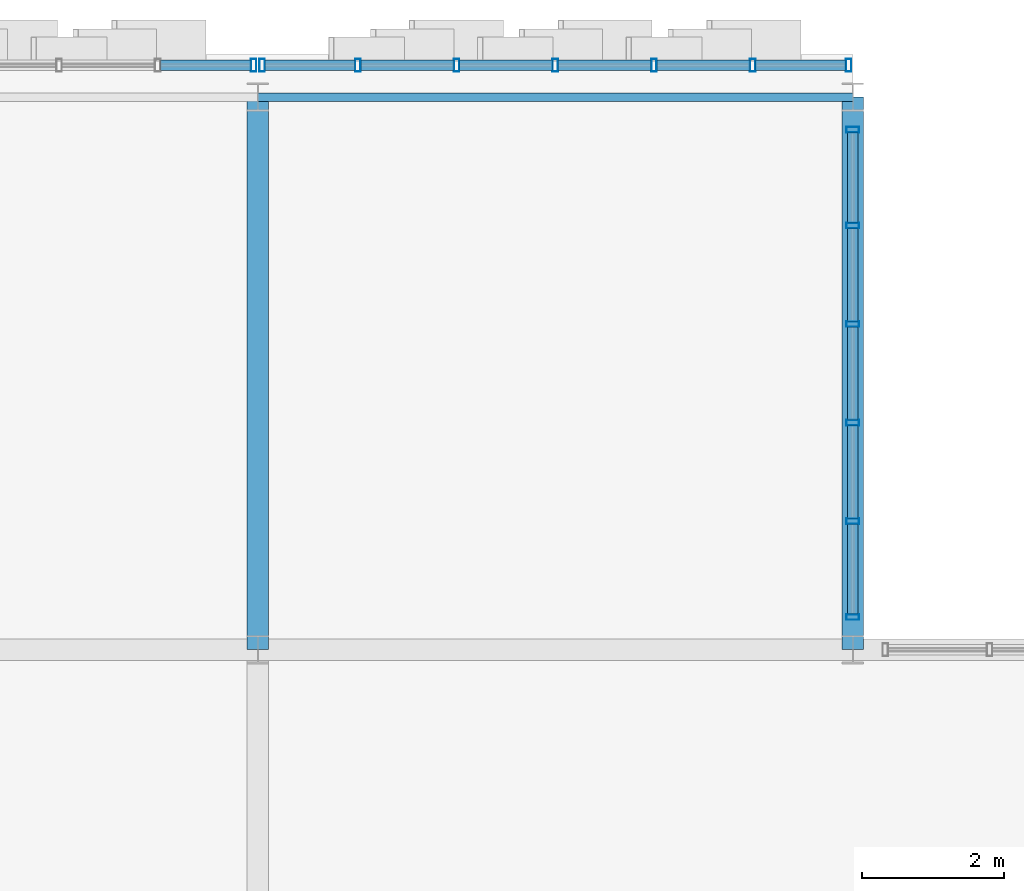
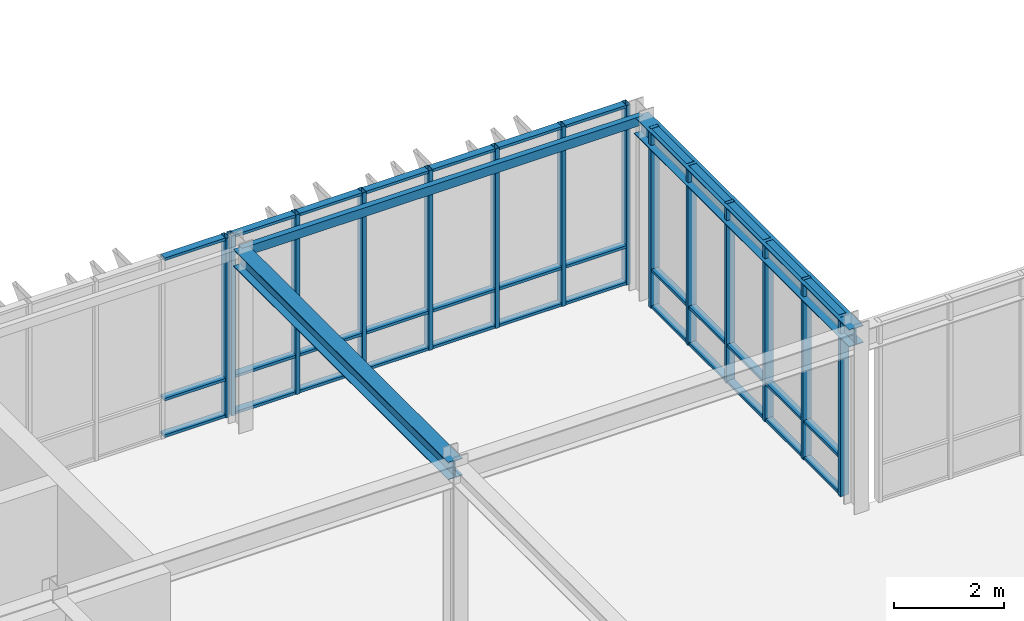
# One storey, part 45 of 123: 50 members, 3 beams, 3 elements without a shape of their own.
"""IFC4 building model written with IfcOpenShell, lengths in metres."""

from ifc_helpers import new_model, si_unit, direction, frame, origin, origin_2d, place, context, subcontext, project, spatial, hollow_rectangle, i_section, extrude, material, layer, layer_set, material_profile, profile_set, type_object, element, aggregate, save


model = new_model("IFC4")

# Units and contexts
model_context = context("Model", 3, precision=1e-05, world=origin(), true_north=direction((0.0, 1.0)))
body_context = subcontext(model_context, "Body", "Model", "MODEL_VIEW")
ifc_project = project(units=[si_unit("LENGTHUNIT", "METRE"), si_unit("AREAUNIT", "SQUARE_METRE"), si_unit("VOLUMEUNIT", "CUBIC_METRE"), si_unit("PLANEANGLEUNIT", "RADIAN"), si_unit("MASSUNIT", "GRAM", prefix="KILO")], contexts=[model_context])

# Site, building, storey
site_placement = place(None, origin())
site = spatial("IfcSite", under=ifc_project, at=site_placement, CompositionType="ELEMENT")
building_placement = place(site_placement, origin())
building = spatial("IfcBuilding", under=site, at=building_placement, Name="Zayran Congress Hotel", CompositionType="ELEMENT")
storey_placement = place(building_placement, frame((0.0, 0.0, 15.0)))
storey = spatial("IfcBuildingStorey", under=building, at=storey_placement, Name="L03", CompositionType="ELEMENT", Elevation=15.0)

# Beams
ifc_material_1 = material(Name="Steel S355", Category="steel")
ifc_material_profile_1 = material_profile(ifc_material_1, i_section(OverallWidth=0.300048828125, OverallDepth=0.389892578125, WebThickness=0.010986328125, FlangeThickness=0.01904296875, at=origin_2d()), Name="HEA 400")
ifc_profile_set_1 = profile_set([ifc_material_profile_1], Name="Steel S355")
beam_type_1 = type_object("IfcBeamType", Name="TP-BM-06", PredefinedType="BEAM", material=ifc_profile_set_1)
for number, where, z_axis, x_axis, name in (
    (1, (25.199951171875, 109.60009765625, 3.784912109375), (0.0, 1.0, 0.0), (-1.0, 0.0, 0.0), "BM-V1-L03-0864"),
    (2, (33.60009765625, 109.60009765625, 3.784912109375), (0.0, 1.0, 0.0), (-1.0, 0.0, 0.0), "BM-V1-L03-0867"),
):
    element("IfcBeam", number, at=place(storey_placement, frame(where, z_axis=z_axis, x_axis=x_axis)), inside=storey, type_object=beam_type_1, Name=name, PredefinedType="BEAM", context=body_context, shape_type="SweptSolid", body=[
        extrude(i_section(OverallWidth=0.300048828125, OverallDepth=0.389892578125, WebThickness=0.010986328125, FlangeThickness=0.01904296875, at=origin_2d()), origin(), (0.0, 0.0, 1.0), 7.7998046875),
    ])
ifc_material_profile_2 = material_profile(ifc_material_1, hollow_rectangle(XDim=0.1201171875, YDim=0.199951171875, WallThickness=0.008056640625, at=origin_2d()), Name="RHS 200x120x8")
ifc_profile_set_2 = profile_set([ifc_material_profile_2], Name="Steel S355")
beam_type_2 = type_object("IfcBeamType", Name="TP-SP-02", PredefinedType="SPANDREL", material=ifc_profile_set_2)
beam_placement = place(storey_placement, frame((25.199951171875, 117.39990234375, 3.8798828125), z_axis=(1.0, 0.0, 0.0), x_axis=(0.0, 1.0, 0.0)))
element("IfcBeam", 3, at=beam_placement, inside=storey, type_object=beam_type_2, Name="BM-V1-L03-0841", PredefinedType="SPANDREL", context=body_context, shape_type="SweptSolid", body=[
    extrude(hollow_rectangle(XDim=0.1201171875, YDim=0.199951171875, WallThickness=0.008056640625, at=origin_2d()), origin(), (0.0, 0.0, 1.0), 8.400146484375),
])

# Curtain wall, member
ifc_material_2 = material(Name="Anodised aluminium and low-E insulated glass", Category="aluminium")
ifc_layer_1 = layer(ifc_material_2, 0.179931640625)
ifc_layer_set_1 = layer_set([ifc_layer_1], Name="Anodised aluminium and low-E insulated glass")
curtain_wall_type_1 = type_object("IfcCurtainWallType", Name="CW-V1N-L03-CW-22-8360-3980", PredefinedType="USERDEFINED", material=ifc_layer_set_1)
curtain_wall_1_placement = place(storey_placement, origin())
curtain_wall_1 = element("IfcCurtainWall", 4, at=curtain_wall_1_placement, inside=storey, type_object=curtain_wall_type_1, Name="CW-V1N-L03-1", ObjectType="CURTAIN WALL", PredefinedType="USERDEFINED")
ifc_material_3 = material(Name="Anodised aluminium framing", Category="aluminium")
ifc_material_profile_3 = material_profile(ifc_material_3, hollow_rectangle(XDim=0.080078125, YDim=0.179931640625, WallThickness=0.0048828125, at=origin_2d()), Name="RHS 180x80x5")
ifc_profile_set_3 = profile_set([ifc_material_profile_3], Name="Anodised aluminium framing")
member_type_1 = type_object("IfcMemberType", Name="TP-CWM-01", PredefinedType="MULLION", material=ifc_profile_set_3)
member_1_placement = place(storey_placement, frame((25.139892578125, 117.85009765625, 0.0), z_axis=(0.0, 0.0, 1.0), x_axis=(1.0, 0.0, 0.0)))
member_1 = element("IfcMember", 5, at=member_1_placement, type_object=member_type_1, Name="CW-V1N-L03-1-M00", PredefinedType="MULLION", context=body_context, shape_type="SweptSolid", body=[
    extrude(hollow_rectangle(XDim=0.080078125, YDim=0.179931640625, WallThickness=0.0048828125, at=origin_2d()), origin(), (0.0, 0.0, 1.0), 3.97998046875),
])

# Curtain wall, members
ifc_layer_2 = layer(ifc_material_2, 0.179931640625)
ifc_layer_set_2 = layer_set([ifc_layer_2], Name="Anodised aluminium and low-E insulated glass")
curtain_wall_type_2 = type_object("IfcCurtainWallType", Name="CW-V1N-L03-CW-23-8360-3980", PredefinedType="USERDEFINED", material=ifc_layer_set_2)
curtain_wall_2_placement = place(storey_placement, origin())
curtain_wall_2 = element("IfcCurtainWall", 6, at=curtain_wall_2_placement, inside=storey, type_object=curtain_wall_type_2, Name="CW-V1N-L03-2", ObjectType="CURTAIN WALL", PredefinedType="USERDEFINED")
member_2_placement = place(storey_placement, frame((33.5400390625, 117.85009765625, 0.0), z_axis=(0.0, 0.0, 1.0), x_axis=(1.0, 0.0, 0.0)))
member_2 = element("IfcMember", 7, at=member_2_placement, type_object=member_type_1, Name="CW-V1N-L03-2-M00", PredefinedType="MULLION", context=body_context, shape_type="SweptSolid", body=[
    extrude(hollow_rectangle(XDim=0.080078125, YDim=0.179931640625, WallThickness=0.0048828125, at=origin_2d()), origin(), (0.0, 0.0, 1.0), 3.97998046875),
])
member_3_placement = place(storey_placement, frame((32.186767578125, 117.85009765625, 0.0), z_axis=(0.0, 0.0, 1.0), x_axis=(1.0, 0.0, 0.0)))
member_3 = element("IfcMember", 8, at=member_3_placement, type_object=member_type_1, Name="CW-V1N-L03-2-M01", PredefinedType="MULLION", context=body_context, shape_type="SweptSolid", body=[
    extrude(hollow_rectangle(XDim=0.080078125, YDim=0.179931640625, WallThickness=0.0048828125, at=origin_2d()), origin(), (0.0, 0.0, 1.0), 3.97998046875),
])
member_4_placement = place(storey_placement, frame((30.793212890625, 117.85009765625, 0.0), z_axis=(0.0, 0.0, 1.0), x_axis=(1.0, 0.0, 0.0)))
member_4 = element("IfcMember", 9, at=member_4_placement, type_object=member_type_1, Name="CW-V1N-L03-2-M02", PredefinedType="MULLION", context=body_context, shape_type="SweptSolid", body=[
    extrude(hollow_rectangle(XDim=0.080078125, YDim=0.179931640625, WallThickness=0.0048828125, at=origin_2d()), origin(), (0.0, 0.0, 1.0), 3.97998046875),
])
member_5_placement = place(storey_placement, frame((29.39990234375, 117.85009765625, 0.0), z_axis=(0.0, 0.0, 1.0), x_axis=(1.0, 0.0, 0.0)))
member_5 = element("IfcMember", 10, at=member_5_placement, type_object=member_type_1, Name="CW-V1N-L03-2-M03", PredefinedType="MULLION", context=body_context, shape_type="SweptSolid", body=[
    extrude(hollow_rectangle(XDim=0.080078125, YDim=0.179931640625, WallThickness=0.0048828125, at=origin_2d()), origin(), (0.0, 0.0, 1.0), 3.97998046875),
])
member_6_placement = place(storey_placement, frame((28.006591796875, 117.85009765625, 0.0), z_axis=(0.0, 0.0, 1.0), x_axis=(1.0, 0.0, 0.0)))
member_6 = element("IfcMember", 11, at=member_6_placement, type_object=member_type_1, Name="CW-V1N-L03-2-M04", PredefinedType="MULLION", context=body_context, shape_type="SweptSolid", body=[
    extrude(hollow_rectangle(XDim=0.080078125, YDim=0.179931640625, WallThickness=0.0048828125, at=origin_2d()), origin(), (0.0, 0.0, 1.0), 3.97998046875),
])
member_7_placement = place(storey_placement, frame((26.61328125, 117.85009765625, 0.0), z_axis=(0.0, 0.0, 1.0), x_axis=(1.0, 0.0, 0.0)))
member_7 = element("IfcMember", 12, at=member_7_placement, type_object=member_type_1, Name="CW-V1N-L03-2-M05", PredefinedType="MULLION", context=body_context, shape_type="SweptSolid", body=[
    extrude(hollow_rectangle(XDim=0.080078125, YDim=0.179931640625, WallThickness=0.0048828125, at=origin_2d()), origin(), (0.0, 0.0, 1.0), 3.97998046875),
])
member_8_placement = place(storey_placement, frame((25.260009765625, 117.85009765625, 0.0), z_axis=(0.0, 0.0, 1.0), x_axis=(1.0, 0.0, 0.0)))
member_8 = element("IfcMember", 13, at=member_8_placement, type_object=member_type_1, Name="CW-V1N-L03-2-M06", PredefinedType="MULLION", context=body_context, shape_type="SweptSolid", body=[
    extrude(hollow_rectangle(XDim=0.080078125, YDim=0.179931640625, WallThickness=0.0048828125, at=origin_2d()), origin(), (0.0, 0.0, 1.0), 3.97998046875),
])

ifc_layer_3 = layer(ifc_material_2, 0.179931640625)
ifc_layer_set_3 = layer_set([ifc_layer_3], Name="Anodised aluminium and low-E insulated glass")
curtain_wall_type_3 = type_object("IfcCurtainWallType", Name="CW-V1NW-L03-CW-24-6960-3980", PredefinedType="USERDEFINED", material=ifc_layer_set_3)
curtain_wall_3_placement = place(storey_placement, origin())
curtain_wall_3 = element("IfcCurtainWall", 14, at=curtain_wall_3_placement, inside=storey, type_object=curtain_wall_type_3, Name="CW-V1NW-L03", ObjectType="CURTAIN WALL", PredefinedType="USERDEFINED")
member_9_placement = place(storey_placement, frame((33.60009765625, 110.06005859375, 0.0), z_axis=(0.0, 0.0, 1.0), x_axis=(0.0, 1.0, 0.0)))
member_9 = element("IfcMember", 15, at=member_9_placement, type_object=member_type_1, Name="CW-V1NW-L03-M00", PredefinedType="MULLION", context=body_context, shape_type="SweptSolid", body=[
    extrude(hollow_rectangle(XDim=0.080078125, YDim=0.179931640625, WallThickness=0.0048828125, at=origin_2d()), origin(), (0.0, 0.0, 1.0), 3.97998046875),
])
member_10_placement = place(storey_placement, frame((33.60009765625, 111.412109375, 0.0), z_axis=(0.0, 0.0, 1.0), x_axis=(0.0, 1.0, 0.0)))
member_10 = element("IfcMember", 16, at=member_10_placement, type_object=member_type_1, Name="CW-V1NW-L03-M01", PredefinedType="MULLION", context=body_context, shape_type="SweptSolid", body=[
    extrude(hollow_rectangle(XDim=0.080078125, YDim=0.179931640625, WallThickness=0.0048828125, at=origin_2d()), origin(), (0.0, 0.0, 1.0), 3.97998046875),
])
member_11_placement = place(storey_placement, frame((33.60009765625, 112.803955078125, 0.0), z_axis=(0.0, 0.0, 1.0), x_axis=(0.0, 1.0, 0.0)))
member_11 = element("IfcMember", 17, at=member_11_placement, type_object=member_type_1, Name="CW-V1NW-L03-M02", PredefinedType="MULLION", context=body_context, shape_type="SweptSolid", body=[
    extrude(hollow_rectangle(XDim=0.080078125, YDim=0.179931640625, WallThickness=0.0048828125, at=origin_2d()), origin(), (0.0, 0.0, 1.0), 3.97998046875),
])
member_12_placement = place(storey_placement, frame((33.60009765625, 114.196044921875, 0.0), z_axis=(0.0, 0.0, 1.0), x_axis=(0.0, 1.0, 0.0)))
member_12 = element("IfcMember", 18, at=member_12_placement, type_object=member_type_1, Name="CW-V1NW-L03-M03", PredefinedType="MULLION", context=body_context, shape_type="SweptSolid", body=[
    extrude(hollow_rectangle(XDim=0.080078125, YDim=0.179931640625, WallThickness=0.0048828125, at=origin_2d()), origin(), (0.0, 0.0, 1.0), 3.97998046875),
])
member_13_placement = place(storey_placement, frame((33.60009765625, 115.587890625, 0.0), z_axis=(0.0, 0.0, 1.0), x_axis=(0.0, 1.0, 0.0)))
member_13 = element("IfcMember", 19, at=member_13_placement, type_object=member_type_1, Name="CW-V1NW-L03-M04", PredefinedType="MULLION", context=body_context, shape_type="SweptSolid", body=[
    extrude(hollow_rectangle(XDim=0.080078125, YDim=0.179931640625, WallThickness=0.0048828125, at=origin_2d()), origin(), (0.0, 0.0, 1.0), 3.97998046875),
])
member_14_placement = place(storey_placement, frame((33.60009765625, 116.93994140625, 0.0), z_axis=(0.0, 0.0, 1.0), x_axis=(0.0, 1.0, 0.0)))
member_14 = element("IfcMember", 20, at=member_14_placement, type_object=member_type_1, Name="CW-V1NW-L03-M05", PredefinedType="MULLION", context=body_context, shape_type="SweptSolid", body=[
    extrude(hollow_rectangle(XDim=0.080078125, YDim=0.179931640625, WallThickness=0.0048828125, at=origin_2d()), origin(), (0.0, 0.0, 1.0), 3.97998046875),
])

# Member
ifc_material_profile_4 = material_profile(ifc_material_3, hollow_rectangle(XDim=0.06005859375, YDim=0.14990234375, WallThickness=0.00390625, at=origin_2d()), Name="RHS 150x60x4")
ifc_profile_set_4 = profile_set([ifc_material_profile_4], Name="Anodised aluminium framing")
member_type_2 = type_object("IfcMemberType", Name="TP-CWT-01", PredefinedType="USERDEFINED", material=ifc_profile_set_4)
member_15_placement = place(storey_placement, frame((25.10009765625, 117.85009765625, 0.030029296875), z_axis=(-1.0, 0.0, 0.0), x_axis=(0.0, 0.0, 1.0)))
member_15 = element("IfcMember", 21, at=member_15_placement, type_object=member_type_2, Name="CW-V1N-L03-1-T00-0", ObjectType="TRANSOM", PredefinedType="USERDEFINED", context=body_context, shape_type="SweptSolid", body=[
    extrude(hollow_rectangle(XDim=0.06005859375, YDim=0.14990234375, WallThickness=0.00390625, at=origin_2d()), origin(), (0.0, 0.0, 1.0), 1.2734375),
])

member_16_placement = place(storey_placement, frame((25.10009765625, 117.85009765625, 0.840087890625), z_axis=(-1.0, 0.0, 0.0), x_axis=(0.0, 0.0, 1.0)))
member_16 = element("IfcMember", 22, at=member_16_placement, type_object=member_type_2, Name="CW-V1N-L03-1-T00-1", ObjectType="TRANSOM", PredefinedType="USERDEFINED", context=body_context, shape_type="SweptSolid", body=[
    extrude(hollow_rectangle(XDim=0.06005859375, YDim=0.14990234375, WallThickness=0.00390625, at=origin_2d()), origin(), (0.0, 0.0, 1.0), 1.2734375),
])

member_17_placement = place(storey_placement, frame((25.10009765625, 117.85009765625, 3.949951171875), z_axis=(-1.0, 0.0, 0.0), x_axis=(0.0, 0.0, 1.0)))
member_17 = element("IfcMember", 23, at=member_17_placement, type_object=member_type_2, Name="CW-V1N-L03-1-T00-2", ObjectType="TRANSOM", PredefinedType="USERDEFINED", context=body_context, shape_type="SweptSolid", body=[
    extrude(hollow_rectangle(XDim=0.06005859375, YDim=0.14990234375, WallThickness=0.00390625, at=origin_2d()), origin(), (0.0, 0.0, 1.0), 1.2734375),
])

aggregate(curtain_wall_1, [member_1, member_15, member_16, member_17])

member_18_placement = place(storey_placement, frame((33.5, 117.85009765625, 0.030029296875), z_axis=(-1.0, 0.0, 0.0), x_axis=(0.0, 0.0, 1.0)))
member_18 = element("IfcMember", 24, at=member_18_placement, type_object=member_type_2, Name="CW-V1N-L03-2-T00-0", ObjectType="TRANSOM", PredefinedType="USERDEFINED", context=body_context, shape_type="SweptSolid", body=[
    extrude(hollow_rectangle(XDim=0.06005859375, YDim=0.14990234375, WallThickness=0.00390625, at=origin_2d()), origin(), (0.0, 0.0, 1.0), 1.273193359375),
])

member_19_placement = place(storey_placement, frame((33.5, 117.85009765625, 0.840087890625), z_axis=(-1.0, 0.0, 0.0), x_axis=(0.0, 0.0, 1.0)))
member_19 = element("IfcMember", 25, at=member_19_placement, type_object=member_type_2, Name="CW-V1N-L03-2-T00-1", ObjectType="TRANSOM", PredefinedType="USERDEFINED", context=body_context, shape_type="SweptSolid", body=[
    extrude(hollow_rectangle(XDim=0.06005859375, YDim=0.14990234375, WallThickness=0.00390625, at=origin_2d()), origin(), (0.0, 0.0, 1.0), 1.273193359375),
])

member_20_placement = place(storey_placement, frame((33.5, 117.85009765625, 3.949951171875), z_axis=(-1.0, 0.0, 0.0), x_axis=(0.0, 0.0, 1.0)))
member_20 = element("IfcMember", 26, at=member_20_placement, type_object=member_type_2, Name="CW-V1N-L03-2-T00-2", ObjectType="TRANSOM", PredefinedType="USERDEFINED", context=body_context, shape_type="SweptSolid", body=[
    extrude(hollow_rectangle(XDim=0.06005859375, YDim=0.14990234375, WallThickness=0.00390625, at=origin_2d()), origin(), (0.0, 0.0, 1.0), 1.273193359375),
])

member_21_placement = place(storey_placement, frame((32.146728515625, 117.85009765625, 0.030029296875), z_axis=(-1.0, 0.0, 0.0), x_axis=(0.0, 0.0, 1.0)))
member_21 = element("IfcMember", 27, at=member_21_placement, type_object=member_type_2, Name="CW-V1N-L03-2-T01-0", ObjectType="TRANSOM", PredefinedType="USERDEFINED", context=body_context, shape_type="SweptSolid", body=[
    extrude(hollow_rectangle(XDim=0.06005859375, YDim=0.14990234375, WallThickness=0.00390625, at=origin_2d()), origin(), (0.0, 0.0, 1.0), 1.3134765625),
])

member_22_placement = place(storey_placement, frame((32.146728515625, 117.85009765625, 0.840087890625), z_axis=(-1.0, 0.0, 0.0), x_axis=(0.0, 0.0, 1.0)))
member_22 = element("IfcMember", 28, at=member_22_placement, type_object=member_type_2, Name="CW-V1N-L03-2-T01-1", ObjectType="TRANSOM", PredefinedType="USERDEFINED", context=body_context, shape_type="SweptSolid", body=[
    extrude(hollow_rectangle(XDim=0.06005859375, YDim=0.14990234375, WallThickness=0.00390625, at=origin_2d()), origin(), (0.0, 0.0, 1.0), 1.3134765625),
])

member_23_placement = place(storey_placement, frame((32.146728515625, 117.85009765625, 3.949951171875), z_axis=(-1.0, 0.0, 0.0), x_axis=(0.0, 0.0, 1.0)))
member_23 = element("IfcMember", 29, at=member_23_placement, type_object=member_type_2, Name="CW-V1N-L03-2-T01-2", ObjectType="TRANSOM", PredefinedType="USERDEFINED", context=body_context, shape_type="SweptSolid", body=[
    extrude(hollow_rectangle(XDim=0.06005859375, YDim=0.14990234375, WallThickness=0.00390625, at=origin_2d()), origin(), (0.0, 0.0, 1.0), 1.3134765625),
])

member_24_placement = place(storey_placement, frame((30.75341796875, 117.85009765625, 0.030029296875), z_axis=(-1.0, 0.0, 0.0), x_axis=(0.0, 0.0, 1.0)))
member_24 = element("IfcMember", 30, at=member_24_placement, type_object=member_type_2, Name="CW-V1N-L03-2-T02-0", ObjectType="TRANSOM", PredefinedType="USERDEFINED", context=body_context, shape_type="SweptSolid", body=[
    extrude(hollow_rectangle(XDim=0.06005859375, YDim=0.14990234375, WallThickness=0.00390625, at=origin_2d()), origin(), (0.0, 0.0, 1.0), 1.3134765625),
])

member_25_placement = place(storey_placement, frame((30.75341796875, 117.85009765625, 0.840087890625), z_axis=(-1.0, 0.0, 0.0), x_axis=(0.0, 0.0, 1.0)))
member_25 = element("IfcMember", 31, at=member_25_placement, type_object=member_type_2, Name="CW-V1N-L03-2-T02-1", ObjectType="TRANSOM", PredefinedType="USERDEFINED", context=body_context, shape_type="SweptSolid", body=[
    extrude(hollow_rectangle(XDim=0.06005859375, YDim=0.14990234375, WallThickness=0.00390625, at=origin_2d()), origin(), (0.0, 0.0, 1.0), 1.3134765625),
])

member_26_placement = place(storey_placement, frame((30.75341796875, 117.85009765625, 3.949951171875), z_axis=(-1.0, 0.0, 0.0), x_axis=(0.0, 0.0, 1.0)))
member_26 = element("IfcMember", 32, at=member_26_placement, type_object=member_type_2, Name="CW-V1N-L03-2-T02-2", ObjectType="TRANSOM", PredefinedType="USERDEFINED", context=body_context, shape_type="SweptSolid", body=[
    extrude(hollow_rectangle(XDim=0.06005859375, YDim=0.14990234375, WallThickness=0.00390625, at=origin_2d()), origin(), (0.0, 0.0, 1.0), 1.3134765625),
])

member_27_placement = place(storey_placement, frame((29.360107421875, 117.85009765625, 0.030029296875), z_axis=(-1.0, 0.0, 0.0), x_axis=(0.0, 0.0, 1.0)))
member_27 = element("IfcMember", 33, at=member_27_placement, type_object=member_type_2, Name="CW-V1N-L03-2-T03-0", ObjectType="TRANSOM", PredefinedType="USERDEFINED", context=body_context, shape_type="SweptSolid", body=[
    extrude(hollow_rectangle(XDim=0.06005859375, YDim=0.14990234375, WallThickness=0.00390625, at=origin_2d()), origin(), (0.0, 0.0, 1.0), 1.3134765625),
])

member_28_placement = place(storey_placement, frame((29.360107421875, 117.85009765625, 0.840087890625), z_axis=(-1.0, 0.0, 0.0), x_axis=(0.0, 0.0, 1.0)))
member_28 = element("IfcMember", 34, at=member_28_placement, type_object=member_type_2, Name="CW-V1N-L03-2-T03-1", ObjectType="TRANSOM", PredefinedType="USERDEFINED", context=body_context, shape_type="SweptSolid", body=[
    extrude(hollow_rectangle(XDim=0.06005859375, YDim=0.14990234375, WallThickness=0.00390625, at=origin_2d()), origin(), (0.0, 0.0, 1.0), 1.3134765625),
])

member_29_placement = place(storey_placement, frame((29.360107421875, 117.85009765625, 3.949951171875), z_axis=(-1.0, 0.0, 0.0), x_axis=(0.0, 0.0, 1.0)))
member_29 = element("IfcMember", 35, at=member_29_placement, type_object=member_type_2, Name="CW-V1N-L03-2-T03-2", ObjectType="TRANSOM", PredefinedType="USERDEFINED", context=body_context, shape_type="SweptSolid", body=[
    extrude(hollow_rectangle(XDim=0.06005859375, YDim=0.14990234375, WallThickness=0.00390625, at=origin_2d()), origin(), (0.0, 0.0, 1.0), 1.3134765625),
])

member_30_placement = place(storey_placement, frame((27.966796875, 117.85009765625, 0.030029296875), z_axis=(-1.0, 0.0, 0.0), x_axis=(0.0, 0.0, 1.0)))
member_30 = element("IfcMember", 36, at=member_30_placement, type_object=member_type_2, Name="CW-V1N-L03-2-T04-0", ObjectType="TRANSOM", PredefinedType="USERDEFINED", context=body_context, shape_type="SweptSolid", body=[
    extrude(hollow_rectangle(XDim=0.06005859375, YDim=0.14990234375, WallThickness=0.00390625, at=origin_2d()), origin(), (0.0, 0.0, 1.0), 1.3134765625),
])

member_31_placement = place(storey_placement, frame((27.966796875, 117.85009765625, 0.840087890625), z_axis=(-1.0, 0.0, 0.0), x_axis=(0.0, 0.0, 1.0)))
member_31 = element("IfcMember", 37, at=member_31_placement, type_object=member_type_2, Name="CW-V1N-L03-2-T04-1", ObjectType="TRANSOM", PredefinedType="USERDEFINED", context=body_context, shape_type="SweptSolid", body=[
    extrude(hollow_rectangle(XDim=0.06005859375, YDim=0.14990234375, WallThickness=0.00390625, at=origin_2d()), origin(), (0.0, 0.0, 1.0), 1.3134765625),
])

member_32_placement = place(storey_placement, frame((27.966796875, 117.85009765625, 3.949951171875), z_axis=(-1.0, 0.0, 0.0), x_axis=(0.0, 0.0, 1.0)))
member_32 = element("IfcMember", 38, at=member_32_placement, type_object=member_type_2, Name="CW-V1N-L03-2-T04-2", ObjectType="TRANSOM", PredefinedType="USERDEFINED", context=body_context, shape_type="SweptSolid", body=[
    extrude(hollow_rectangle(XDim=0.06005859375, YDim=0.14990234375, WallThickness=0.00390625, at=origin_2d()), origin(), (0.0, 0.0, 1.0), 1.3134765625),
])

member_33_placement = place(storey_placement, frame((26.5732421875, 117.85009765625, 0.030029296875), z_axis=(-1.0, 0.0, 0.0), x_axis=(0.0, 0.0, 1.0)))
member_33 = element("IfcMember", 39, at=member_33_placement, type_object=member_type_2, Name="CW-V1N-L03-2-T05-0", ObjectType="TRANSOM", PredefinedType="USERDEFINED", context=body_context, shape_type="SweptSolid", body=[
    extrude(hollow_rectangle(XDim=0.06005859375, YDim=0.14990234375, WallThickness=0.00390625, at=origin_2d()), origin(), (0.0, 0.0, 1.0), 1.273193359375),
])

member_34_placement = place(storey_placement, frame((26.5732421875, 117.85009765625, 0.840087890625), z_axis=(-1.0, 0.0, 0.0), x_axis=(0.0, 0.0, 1.0)))
member_34 = element("IfcMember", 40, at=member_34_placement, type_object=member_type_2, Name="CW-V1N-L03-2-T05-1", ObjectType="TRANSOM", PredefinedType="USERDEFINED", context=body_context, shape_type="SweptSolid", body=[
    extrude(hollow_rectangle(XDim=0.06005859375, YDim=0.14990234375, WallThickness=0.00390625, at=origin_2d()), origin(), (0.0, 0.0, 1.0), 1.273193359375),
])

member_35_placement = place(storey_placement, frame((26.5732421875, 117.85009765625, 3.949951171875), z_axis=(-1.0, 0.0, 0.0), x_axis=(0.0, 0.0, 1.0)))
member_35 = element("IfcMember", 41, at=member_35_placement, type_object=member_type_2, Name="CW-V1N-L03-2-T05-2", ObjectType="TRANSOM", PredefinedType="USERDEFINED", context=body_context, shape_type="SweptSolid", body=[
    extrude(hollow_rectangle(XDim=0.06005859375, YDim=0.14990234375, WallThickness=0.00390625, at=origin_2d()), origin(), (0.0, 0.0, 1.0), 1.273193359375),
])

aggregate(curtain_wall_2, [member_2, member_3, member_4, member_5, member_6, member_7, member_8, member_18, member_19, member_20, member_21, member_22, member_23, member_24, member_25, member_26, member_27, member_28, member_29, member_30, member_31, member_32, member_33, member_34, member_35])

member_36_placement = place(storey_placement, frame((33.60009765625, 110.10009765625, 0.030029296875), z_axis=(0.0, 1.0, 0.0), x_axis=(0.0, 0.0, 1.0)))
member_36 = element("IfcMember", 42, at=member_36_placement, type_object=member_type_2, Name="CW-V1NW-L03-T00-0", ObjectType="TRANSOM", PredefinedType="USERDEFINED", context=body_context, shape_type="SweptSolid", body=[
    extrude(hollow_rectangle(XDim=0.06005859375, YDim=0.14990234375, WallThickness=0.00390625, at=origin_2d()), origin(), (0.0, 0.0, 1.0), 1.27197265625),
])

member_37_placement = place(storey_placement, frame((33.60009765625, 110.10009765625, 0.840087890625), z_axis=(0.0, 1.0, 0.0), x_axis=(0.0, 0.0, 1.0)))
member_37 = element("IfcMember", 43, at=member_37_placement, type_object=member_type_2, Name="CW-V1NW-L03-T00-1", ObjectType="TRANSOM", PredefinedType="USERDEFINED", context=body_context, shape_type="SweptSolid", body=[
    extrude(hollow_rectangle(XDim=0.06005859375, YDim=0.14990234375, WallThickness=0.00390625, at=origin_2d()), origin(), (0.0, 0.0, 1.0), 1.27197265625),
])

member_38_placement = place(storey_placement, frame((33.60009765625, 110.10009765625, 3.949951171875), z_axis=(0.0, 1.0, 0.0), x_axis=(0.0, 0.0, 1.0)))
member_38 = element("IfcMember", 44, at=member_38_placement, type_object=member_type_2, Name="CW-V1NW-L03-T00-2", ObjectType="TRANSOM", PredefinedType="USERDEFINED", context=body_context, shape_type="SweptSolid", body=[
    extrude(hollow_rectangle(XDim=0.06005859375, YDim=0.14990234375, WallThickness=0.00390625, at=origin_2d()), origin(), (0.0, 0.0, 1.0), 1.27197265625),
])

member_39_placement = place(storey_placement, frame((33.60009765625, 111.451904296875, 0.030029296875), z_axis=(0.0, 1.0, 0.0), x_axis=(0.0, 0.0, 1.0)))
member_39 = element("IfcMember", 45, at=member_39_placement, type_object=member_type_2, Name="CW-V1NW-L03-T01-0", ObjectType="TRANSOM", PredefinedType="USERDEFINED", context=body_context, shape_type="SweptSolid", body=[
    extrude(hollow_rectangle(XDim=0.06005859375, YDim=0.14990234375, WallThickness=0.00390625, at=origin_2d()), origin(), (0.0, 0.0, 1.0), 1.31201171875),
])

member_40_placement = place(storey_placement, frame((33.60009765625, 111.451904296875, 0.840087890625), z_axis=(0.0, 1.0, 0.0), x_axis=(0.0, 0.0, 1.0)))
member_40 = element("IfcMember", 46, at=member_40_placement, type_object=member_type_2, Name="CW-V1NW-L03-T01-1", ObjectType="TRANSOM", PredefinedType="USERDEFINED", context=body_context, shape_type="SweptSolid", body=[
    extrude(hollow_rectangle(XDim=0.06005859375, YDim=0.14990234375, WallThickness=0.00390625, at=origin_2d()), origin(), (0.0, 0.0, 1.0), 1.31201171875),
])

member_41_placement = place(storey_placement, frame((33.60009765625, 111.451904296875, 3.949951171875), z_axis=(0.0, 1.0, 0.0), x_axis=(0.0, 0.0, 1.0)))
member_41 = element("IfcMember", 47, at=member_41_placement, type_object=member_type_2, Name="CW-V1NW-L03-T01-2", ObjectType="TRANSOM", PredefinedType="USERDEFINED", context=body_context, shape_type="SweptSolid", body=[
    extrude(hollow_rectangle(XDim=0.06005859375, YDim=0.14990234375, WallThickness=0.00390625, at=origin_2d()), origin(), (0.0, 0.0, 1.0), 1.31201171875),
])

member_42_placement = place(storey_placement, frame((33.60009765625, 112.843994140625, 0.030029296875), z_axis=(0.0, 1.0, 0.0), x_axis=(0.0, 0.0, 1.0)))
member_42 = element("IfcMember", 48, at=member_42_placement, type_object=member_type_2, Name="CW-V1NW-L03-T02-0", ObjectType="TRANSOM", PredefinedType="USERDEFINED", context=body_context, shape_type="SweptSolid", body=[
    extrude(hollow_rectangle(XDim=0.06005859375, YDim=0.14990234375, WallThickness=0.00390625, at=origin_2d()), origin(), (0.0, 0.0, 1.0), 1.31201171875),
])

member_43_placement = place(storey_placement, frame((33.60009765625, 112.843994140625, 0.840087890625), z_axis=(0.0, 1.0, 0.0), x_axis=(0.0, 0.0, 1.0)))
member_43 = element("IfcMember", 49, at=member_43_placement, type_object=member_type_2, Name="CW-V1NW-L03-T02-1", ObjectType="TRANSOM", PredefinedType="USERDEFINED", context=body_context, shape_type="SweptSolid", body=[
    extrude(hollow_rectangle(XDim=0.06005859375, YDim=0.14990234375, WallThickness=0.00390625, at=origin_2d()), origin(), (0.0, 0.0, 1.0), 1.31201171875),
])

member_44_placement = place(storey_placement, frame((33.60009765625, 112.843994140625, 3.949951171875), z_axis=(0.0, 1.0, 0.0), x_axis=(0.0, 0.0, 1.0)))
member_44 = element("IfcMember", 50, at=member_44_placement, type_object=member_type_2, Name="CW-V1NW-L03-T02-2", ObjectType="TRANSOM", PredefinedType="USERDEFINED", context=body_context, shape_type="SweptSolid", body=[
    extrude(hollow_rectangle(XDim=0.06005859375, YDim=0.14990234375, WallThickness=0.00390625, at=origin_2d()), origin(), (0.0, 0.0, 1.0), 1.31201171875),
])

member_45_placement = place(storey_placement, frame((33.60009765625, 114.236083984375, 0.030029296875), z_axis=(0.0, 1.0, 0.0), x_axis=(0.0, 0.0, 1.0)))
member_45 = element("IfcMember", 51, at=member_45_placement, type_object=member_type_2, Name="CW-V1NW-L03-T03-0", ObjectType="TRANSOM", PredefinedType="USERDEFINED", context=body_context, shape_type="SweptSolid", body=[
    extrude(hollow_rectangle(XDim=0.06005859375, YDim=0.14990234375, WallThickness=0.00390625, at=origin_2d()), origin(), (0.0, 0.0, 1.0), 1.31201171875),
])

member_46_placement = place(storey_placement, frame((33.60009765625, 114.236083984375, 0.840087890625), z_axis=(0.0, 1.0, 0.0), x_axis=(0.0, 0.0, 1.0)))
member_46 = element("IfcMember", 52, at=member_46_placement, type_object=member_type_2, Name="CW-V1NW-L03-T03-1", ObjectType="TRANSOM", PredefinedType="USERDEFINED", context=body_context, shape_type="SweptSolid", body=[
    extrude(hollow_rectangle(XDim=0.06005859375, YDim=0.14990234375, WallThickness=0.00390625, at=origin_2d()), origin(), (0.0, 0.0, 1.0), 1.31201171875),
])

member_47_placement = place(storey_placement, frame((33.60009765625, 114.236083984375, 3.949951171875), z_axis=(0.0, 1.0, 0.0), x_axis=(0.0, 0.0, 1.0)))
member_47 = element("IfcMember", 53, at=member_47_placement, type_object=member_type_2, Name="CW-V1NW-L03-T03-2", ObjectType="TRANSOM", PredefinedType="USERDEFINED", context=body_context, shape_type="SweptSolid", body=[
    extrude(hollow_rectangle(XDim=0.06005859375, YDim=0.14990234375, WallThickness=0.00390625, at=origin_2d()), origin(), (0.0, 0.0, 1.0), 1.31201171875),
])

member_48_placement = place(storey_placement, frame((33.60009765625, 115.6279296875, 0.030029296875), z_axis=(0.0, 1.0, 0.0), x_axis=(0.0, 0.0, 1.0)))
member_48 = element("IfcMember", 54, at=member_48_placement, type_object=member_type_2, Name="CW-V1NW-L03-T04-0", ObjectType="TRANSOM", PredefinedType="USERDEFINED", context=body_context, shape_type="SweptSolid", body=[
    extrude(hollow_rectangle(XDim=0.06005859375, YDim=0.14990234375, WallThickness=0.00390625, at=origin_2d()), origin(), (0.0, 0.0, 1.0), 1.27197265625),
])

member_49_placement = place(storey_placement, frame((33.60009765625, 115.6279296875, 0.840087890625), z_axis=(0.0, 1.0, 0.0), x_axis=(0.0, 0.0, 1.0)))
member_49 = element("IfcMember", 55, at=member_49_placement, type_object=member_type_2, Name="CW-V1NW-L03-T04-1", ObjectType="TRANSOM", PredefinedType="USERDEFINED", context=body_context, shape_type="SweptSolid", body=[
    extrude(hollow_rectangle(XDim=0.06005859375, YDim=0.14990234375, WallThickness=0.00390625, at=origin_2d()), origin(), (0.0, 0.0, 1.0), 1.27197265625),
])

member_50_placement = place(storey_placement, frame((33.60009765625, 115.6279296875, 3.949951171875), z_axis=(0.0, 1.0, 0.0), x_axis=(0.0, 0.0, 1.0)))
member_50 = element("IfcMember", 56, at=member_50_placement, type_object=member_type_2, Name="CW-V1NW-L03-T04-2", ObjectType="TRANSOM", PredefinedType="USERDEFINED", context=body_context, shape_type="SweptSolid", body=[
    extrude(hollow_rectangle(XDim=0.06005859375, YDim=0.14990234375, WallThickness=0.00390625, at=origin_2d()), origin(), (0.0, 0.0, 1.0), 1.27197265625),
])

aggregate(curtain_wall_3, [member_9, member_10, member_11, member_12, member_13, member_14, member_36, member_37, member_38, member_39, member_40, member_41, member_42, member_43, member_44, member_45, member_46, member_47, member_48, member_49, member_50])

save(model, "model.ifc")
